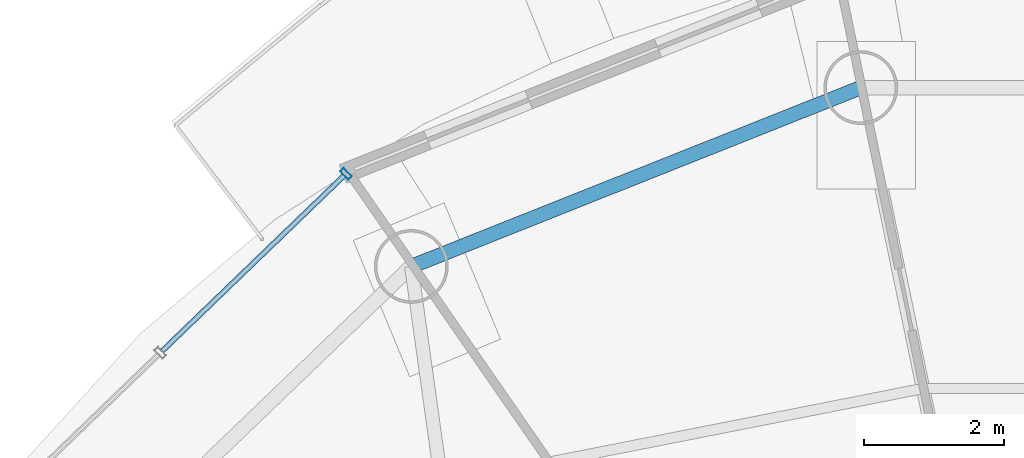
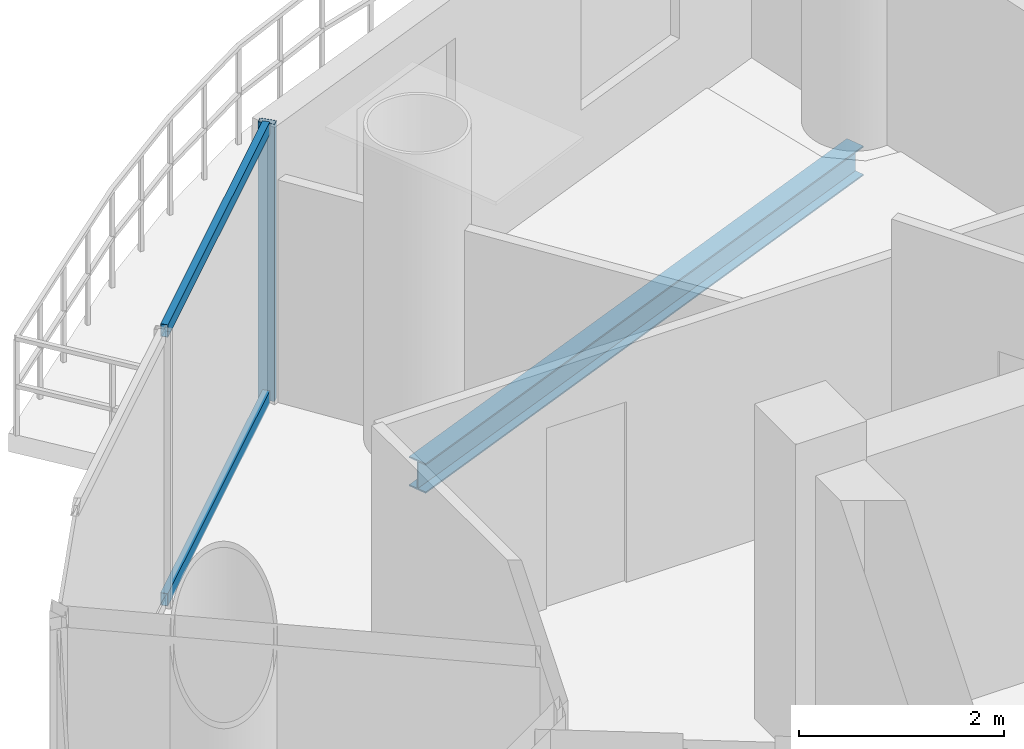
# One storey, part 14 of 23: 3 members, 1 beam, 1 element without a shape of its own.
"""IFC4 building model written with IfcOpenShell, lengths in metres."""

import ifcopenshell
import ifcopenshell.guid

model = None  # the IFC model being written
_history = None  # IfcOwnerHistory: only IFC2X3 demands one
_inside = {}  # id of a spatial element -> (the spatial element, [elements in it])
_under = {}  # id of a project, library or spatial element -> (it, [spatial elements below it])
_declared = {}  # id of a project -> (the project, [libraries it declares])
_typed = {}  # id of a type object -> (the type object, [elements of that type])
_made_of = {}  # id of a material, layer set ... -> (it, [elements and type objects made of it])


def new_model(schema):
    """Start an empty IFC model of exactly this schema.

    Asked for "IFC4X3", IfcOpenShell would pick the latest addendum, in which some entities
    have other attributes; the version numbers below select the first issue.
    IFC2X3 requires an IfcOwnerHistory on every rooted entity: one is made here for all.
    """
    global model, _history
    if schema == "IFC4X3":
        model = ifcopenshell.file(schema_version=(4, 3, 0, 0))
    else:
        model = ifcopenshell.file(schema=schema)
    _inside.clear()
    _under.clear()
    _declared.clear()
    _typed.clear()
    _made_of.clear()
    _history = None
    if model.schema == "IFC2X3":
        org = make("IfcOrganization", Name="unknown")
        user = make(
            "IfcPersonAndOrganization",
            ThePerson=make("IfcPerson", FamilyName="unknown"),
            TheOrganization=org,
        )
        app = make(
            "IfcApplication",
            ApplicationDeveloper=org,
            Version="unknown",
            ApplicationFullName="unknown",
            ApplicationIdentifier="unknown",
        )
        _history = make(
            "IfcOwnerHistory",
            OwningUser=user,
            OwningApplication=app,
            ChangeAction="ADDED",
            CreationDate=0,
        )
    return model


def make(cls, **values):
    """One entity of the class cls with the attributes given. An attribute that is None is left unset."""
    return model.create_entity(
        cls, **{name: value for name, value in values.items() if value is not None}
    )


def rooted(cls, **values):
    """An entity with a GlobalId (a new one), such as an element, a storey or a relation."""
    return make(cls, GlobalId=ifcopenshell.guid.new(), OwnerHistory=_history, **values)


def si_unit(unit_type, name, prefix=None):
    """IfcSIUnit, for example si_unit("LENGTHUNIT", "METRE", prefix="MILLI")."""
    return make("IfcSIUnit", UnitType=unit_type, Prefix=prefix, Name=name)


def assignment(units):
    """IfcUnitAssignment: the units of a project."""
    return None if units is None else make("IfcUnitAssignment", Units=units)


def point(xyz):
    """IfcCartesianPoint."""
    return None if xyz is None else make("IfcCartesianPoint", Coordinates=xyz)


def direction(xyz):
    """IfcDirection."""
    return None if xyz is None else make("IfcDirection", DirectionRatios=xyz)


def frame(location, z_axis=None, x_axis=None):
    """IfcAxis2Placement3D, a coordinate frame: its origin and axes. An axis left out is left unset."""
    return make(
        "IfcAxis2Placement3D",
        Location=point(location),
        Axis=direction(z_axis),
        RefDirection=direction(x_axis),
    )


def frame_2d(location, x_axis=None):
    """IfcAxis2Placement2D, a coordinate frame in the plane: its origin and x axis."""
    return make(
        "IfcAxis2Placement2D", Location=point(location), RefDirection=direction(x_axis)
    )


def origin():
    """The frame at (0, 0, 0) with its axes left unset."""
    return frame((0.0, 0.0, 0.0))


def origin_2d():
    """The frame at (0, 0) in the plane with its x axis left unset."""
    return frame_2d((0.0, 0.0))


def place(relative_to, where):
    """IfcLocalPlacement: puts the frame where relative to a parent placement (None: the world)."""
    return make(
        "IfcLocalPlacement", PlacementRelTo=relative_to, RelativePlacement=where
    )


def context(
    kind, dimensions, precision=None, world=None, true_north=None, identifier=None
):
    """IfcGeometricRepresentationContext, for example the 3D "Model" context."""
    return make(
        "IfcGeometricRepresentationContext",
        ContextIdentifier=identifier,
        ContextType=kind,
        CoordinateSpaceDimension=dimensions,
        Precision=precision,
        WorldCoordinateSystem=world,
        TrueNorth=true_north,
    )


def subcontext(parent, identifier, kind, view, scale=None):
    """IfcGeometricRepresentationSubContext, for example "Body" below "Model"."""
    return make(
        "IfcGeometricRepresentationSubContext",
        ContextIdentifier=identifier,
        ContextType=kind,
        ParentContext=parent,
        TargetScale=scale,
        TargetView=view,
    )


def project(units=None, contexts=None):
    """IfcProject with its units and contexts."""
    return rooted(
        "IfcProject",
        Name="project",
        RepresentationContexts=contexts,
        UnitsInContext=assignment(units),
    )


def spatial(cls, under=None, at=None, **own):
    """A site, building, storey or space (cls), placed at a placement, below another one or the project."""
    s = rooted(cls, ObjectPlacement=at, **own)
    if under is not None:
        _under.setdefault(under.id(), (under, []))[1].append(s)
    return s


def profile(cls, at=None, kind="AREA", **sizes):
    """A parametric profile (cls). Its sizes go by their IFC names, for example OverallWidth=200.0."""
    return make(cls, ProfileType=kind, Position=at, **sizes)


def hollow_rectangle(**sizes):
    """IfcRectangleHollowProfileDef."""
    return profile("IfcRectangleHollowProfileDef", **sizes)


def i_section(**sizes):
    """IfcIShapeProfileDef."""
    return profile("IfcIShapeProfileDef", **sizes)


def extrude(swept, where, along, depth):
    """IfcExtrudedAreaSolid: the profile swept, set in the frame where, extruded along a direction by depth."""
    return make(
        "IfcExtrudedAreaSolid",
        SweptArea=swept,
        Position=where,
        ExtrudedDirection=direction(along),
        Depth=depth,
    )


def shape(context_of_items, identifier, shape_type, items):
    """IfcShapeRepresentation: the items that make up one representation, for example the "Body"."""
    return make(
        "IfcShapeRepresentation",
        ContextOfItems=context_of_items,
        RepresentationIdentifier=identifier,
        RepresentationType=shape_type,
        Items=items,
    )


def source(mapping_origin, context_of_items, identifier, shape_type, items):
    """IfcRepresentationMap: a shape defined once, which mapped items show again and again."""
    return make(
        "IfcRepresentationMap",
        MappingOrigin=mapping_origin,
        MappedRepresentation=shape(context_of_items, identifier, shape_type, items),
    )


def transform(
    local_origin,
    x_axis=None,
    y_axis=None,
    z_axis=None,
    scale=None,
    scale2=None,
    scale3=None,
    uniform=True,
):
    """IfcCartesianTransformationOperator3D, or its non-uniform kind. x_axis, y_axis, z_axis: its Axis1, 2, 3."""
    if uniform:
        return make(
            "IfcCartesianTransformationOperator3D",
            Axis1=direction(x_axis),
            Axis2=direction(y_axis),
            LocalOrigin=point(local_origin),
            Scale=scale,
            Axis3=direction(z_axis),
        )
    return make(
        "IfcCartesianTransformationOperator3DnonUniform",
        Axis1=direction(x_axis),
        Axis2=direction(y_axis),
        LocalOrigin=point(local_origin),
        Scale=scale,
        Axis3=direction(z_axis),
        Scale2=scale2,
        Scale3=scale3,
    )


def mapped(mapping_source, mapping_target):
    """IfcMappedItem: shows the shape of a source again, moved by a transform."""
    return make(
        "IfcMappedItem", MappingSource=mapping_source, MappingTarget=mapping_target
    )


def material(Name=None, Category=None):
    """IfcMaterial."""
    return make("IfcMaterial", Name=Name, Category=Category)


def material_profile(
    of_material, cross_section, Name=None, Category=None, Priority=None
):
    """IfcMaterialProfile: a cross section and its material."""
    return make(
        "IfcMaterialProfile",
        Name=Name,
        Material=of_material,
        Profile=cross_section,
        Priority=Priority,
        Category=Category,
    )


def profile_set(profiles, Name=None, composite=None):
    """IfcMaterialProfileSet."""
    return make(
        "IfcMaterialProfileSet",
        Name=Name,
        MaterialProfiles=profiles,
        CompositeProfile=composite,
    )


def made_of(thing, what):
    """Note that an element or type object is made of a material, layer set ...; save() writes the relation."""
    if what is not None:
        _made_of.setdefault(what.id(), (what, []))[1].append(thing)
    return thing


def type_object(cls, material=None, **own):
    """A type object (cls), such as IfcWallType, which elements share."""
    return made_of(rooted(cls, **own), material)


def element(
    cls,
    number,
    at=None,
    inside=None,
    cuts=None,
    type_object=None,
    material=None,
    context=None,
    identifier="Body",
    shape_type=None,
    held_by="IfcProductDefinitionShape",
    body=None,
    shapes=None,
    **own,
):
    """One element of the class cls, such as IfcWall. Its Tag is "e" and its number.

    at: its placement. inside: the storey or other place that contains it. cuts: it is an
    opening in that element (IfcRelVoidsElement). A single representation is given by context,
    identifier, shape_type and body (its items); several are given by shapes. held_by: the class
    of the entity that holds the representations. save() writes the other relations.
    """
    e = rooted(cls, Tag="e%d" % number, ObjectPlacement=at, **own)
    if body is not None:
        shapes = [shape(context, identifier, shape_type, body)]
    if shapes is not None:
        e.Representation = make(held_by, Representations=shapes)
    if inside is not None:
        _inside.setdefault(inside.id(), (inside, []))[1].append(e)
    if cuts is not None:
        rooted(
            "IfcRelVoidsElement", RelatingBuildingElement=cuts, RelatedOpeningElement=e
        )
    if type_object is not None:
        _typed.setdefault(type_object.id(), (type_object, []))[1].append(e)
    return made_of(e, material)


def aggregate(whole, parts):
    """IfcRelAggregates: a whole, such as a stair, and the parts it consists of."""
    return rooted("IfcRelAggregates", RelatingObject=whole, RelatedObjects=parts)


def save(model, path):
    """Write the relations noted so far, then the file.

    IfcRelAggregates (storeys below a building ...), IfcRelContainedInSpatialStructure (elements
    in a storey), IfcRelDefinesByType, IfcRelAssociatesMaterial and IfcRelDeclares: one each for
    every whole, place, type object, material and project.
    """
    for whole, parts in _under.values():
        aggregate(whole, parts)
    for where, things in _inside.values():
        rooted(
            "IfcRelContainedInSpatialStructure",
            RelatedElements=things,
            RelatingStructure=where,
        )
    for kind, things in _typed.values():
        rooted("IfcRelDefinesByType", RelatedObjects=things, RelatingType=kind)
    for what, things in _made_of.values():
        rooted("IfcRelAssociatesMaterial", RelatedObjects=things, RelatingMaterial=what)
    for by, libraries in _declared.values():
        rooted("IfcRelDeclares", RelatingContext=by, RelatedDefinitions=libraries)
    model.write(path)


model = new_model("IFC4")

# Units and contexts
model_context = context("Model", 3, precision=1e-05, world=origin(), true_north=direction((-0.2419218956, 0.970295726276)))
body_context = subcontext(model_context, "Body", "Model", "MODEL_VIEW")
ifc_project = project(units=[si_unit("LENGTHUNIT", "METRE"), si_unit("AREAUNIT", "SQUARE_METRE"), si_unit("VOLUMEUNIT", "CUBIC_METRE"), si_unit("PLANEANGLEUNIT", "RADIAN"), si_unit("MASSUNIT", "GRAM", prefix="KILO")], contexts=[model_context])

# Site, building, storey
site_placement = place(None, origin())
site = spatial("IfcSite", under=ifc_project, at=site_placement, CompositionType="ELEMENT")
building_placement = place(site_placement, origin())
building = spatial("IfcBuilding", under=site, at=building_placement, Name="Cobrevalo Terracotta Tower", CompositionType="ELEMENT")
storey_placement = place(building_placement, frame((0.0, 0.0, 296.949951171875)))
storey = spatial("IfcBuildingStorey", under=building, at=storey_placement, Name="L78", CompositionType="ELEMENT", Elevation=296.949951171875)

# Beam
ifc_material_1 = material(Name="Steel S355", Category="steel")
ifc_material_profile_1 = material_profile(ifc_material_1, i_section(OverallWidth=0.205078125, OverallDepth=0.35400390625, WebThickness=0.009521484375, FlangeThickness=0.016845703125, at=origin_2d()), Name="W 360x79")
ifc_profile_set_1 = profile_set([ifc_material_profile_1], Name="Steel S355")
beam_type = type_object("IfcBeamType", Name="Structural Spandrel W 360x79 (Steel S355)", PredefinedType="SPANDREL", material=ifc_profile_set_1)
beam_placement = place(storey_placement, frame((34.537109375, 43.5224609375, -0.43701171875), z_axis=(-0.929149986048, -0.369702993533, 0.0), x_axis=(0.369702993533, -0.929149986048, 0.0)))
element("IfcBeam", 1, at=beam_placement, inside=storey, type_object=beam_type, Name="L78 perimeter ring spandrel 05", PredefinedType="SPANDREL", context=body_context, shape_type="SweptSolid", body=[
    extrude(i_section(OverallWidth=0.205078125, OverallDepth=0.35400390625, WebThickness=0.009521484375, FlangeThickness=0.016845703125, at=origin_2d()), origin(), (0.0, 0.0, 1.0), 6.88623046875),
])

# Curtain wall, members
ifc_material_2 = material(Name="Anodized aluminium", Category="aluminium")
curtain_wall_type = type_object("IfcCurtainWallType", Name="Upper-tower triple-glazed penthouse curtain wall CW-U3", PredefinedType="NOTDEFINED", material=ifc_material_2)
curtain_wall_placement = place(storey_placement, origin())
curtain_wall = element("IfcCurtainWall", 2, at=curtain_wall_placement, inside=storey, type_object=curtain_wall_type, Name="L78 curtain wall CW-L78-S06", PredefinedType="NOTDEFINED")
ifc_material_profile_2 = material_profile(ifc_material_2, hollow_rectangle(XDim=0.074951171875, YDim=0.14990234375, WallThickness=0.00439453125, at=origin_2d()), Name="CWT 75x150")
ifc_profile_set_2 = profile_set([ifc_material_profile_2], Name="Anodized aluminium")
member_type_1 = type_object("IfcMemberType", Name="Tower unitised aluminium transom 75x150", PredefinedType="USERDEFINED", material=ifc_profile_set_2)
shared_shape_1 = source(origin(), body_context, "Body", "SweptSolid", [
    extrude(hollow_rectangle(XDim=0.074951171875, YDim=0.14990234375, WallThickness=0.00439453125, at=origin_2d()), origin(), (0.0, 0.0, 1.0), 3.59130859375),
])
member_1_placement = place(storey_placement, frame((27.180908203125, 42.26806640625, 0.050048828125), z_axis=(-0.720005628362, -0.693968223427, 0.0), x_axis=(0.693968223427, -0.720005628362, 0.0)))
member_1 = element("IfcMember", 3, at=member_1_placement, type_object=member_type_1, Name="CW-L78-S06 transom B01-T1", ObjectType="TRANSOM", PredefinedType="USERDEFINED", context=body_context, shape_type="MappedRepresentation", body=[
    mapped(shared_shape_1, transform((0.0, 0.0, 0.0), scale=1.0)),
])
member_2_placement = place(storey_placement, frame((27.180908203125, 42.26806640625, 3.25), z_axis=(-0.720005628362, -0.693968223427, 0.0), x_axis=(0.693968223427, -0.720005628362, 0.0)))
member_2 = element("IfcMember", 4, at=member_2_placement, type_object=member_type_1, Name="CW-L78-S06 transom B01-T2", ObjectType="TRANSOM", PredefinedType="USERDEFINED", context=body_context, shape_type="MappedRepresentation", body=[
    mapped(shared_shape_1, transform((0.0, 0.0, 0.0), scale=1.0)),
])
ifc_material_profile_3 = material_profile(ifc_material_2, hollow_rectangle(XDim=0.070068359375, YDim=0.169921875, WallThickness=0.00439453125, at=origin_2d()), Name="CWM 70x170")
ifc_profile_set_3 = profile_set([ifc_material_profile_3], Name="Anodized aluminium")
member_type_2 = type_object("IfcMemberType", Name="Upper tower unitised mullion 70x170", PredefinedType="MULLION", material=ifc_profile_set_3)
shared_shape_2 = source(origin(), body_context, "Body", "SweptSolid", [
    extrude(hollow_rectangle(XDim=0.070068359375, YDim=0.169921875, WallThickness=0.00439453125, at=origin_2d()), origin(), (0.0, 0.0, 1.0), 3.300048828125),
])
member_3_placement = place(storey_placement, frame((27.209716796875, 42.2958984375, 0.0), z_axis=(0.0, 0.0, 1.0), x_axis=(-0.71999418085, -0.69398010025, 0.0)))
member_3 = element("IfcMember", 5, at=member_3_placement, type_object=member_type_2, Name="CW-L78-S06 vertical mullion 01", PredefinedType="MULLION", context=body_context, shape_type="MappedRepresentation", body=[
    mapped(shared_shape_2, transform((0.0, 0.0, 0.0), scale=1.0)),
])
aggregate(curtain_wall, [member_3, member_1, member_2])

save(model, "model.ifc")
